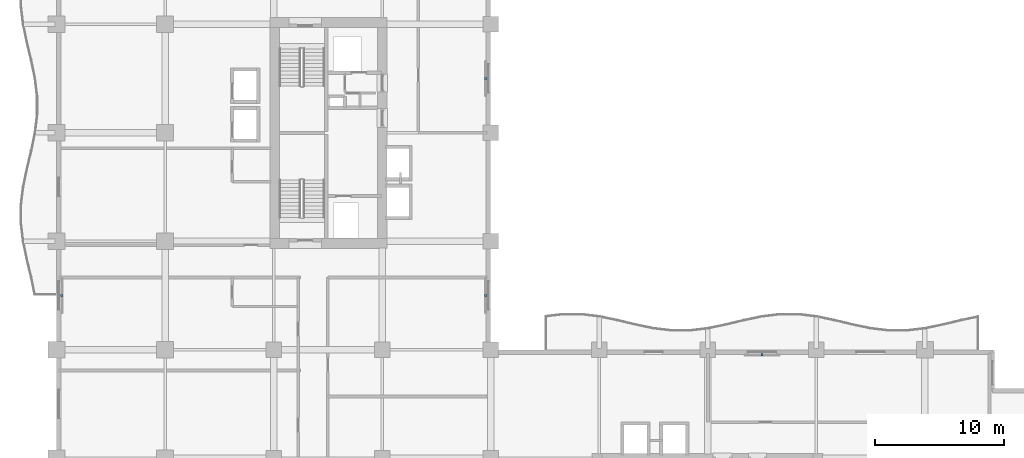
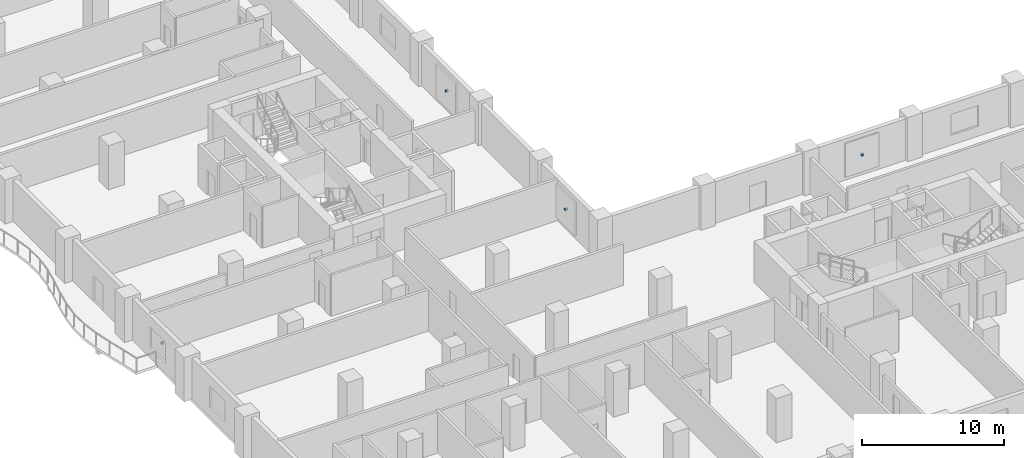
# One storey, part 13 of 18: 4 discrete accessories.
"""IFC4 building model written with IfcOpenShell, lengths in metres."""

from ifc_helpers import new_model, si_unit, direction, frame, origin, origin_2d, place, context, subcontext, project, spatial, rectangle, extrude, material, type_object, element, save


model = new_model("IFC4")

# Units and contexts
model_context = context("Model", 3, precision=1e-05, world=origin(), true_north=direction((0.0, 1.0)))
body_context = subcontext(model_context, "Body", "Model", "MODEL_VIEW")
ifc_project = project(units=[si_unit("LENGTHUNIT", "METRE"), si_unit("AREAUNIT", "SQUARE_METRE"), si_unit("VOLUMEUNIT", "CUBIC_METRE"), si_unit("PLANEANGLEUNIT", "RADIAN"), si_unit("MASSUNIT", "GRAM", prefix="KILO")], contexts=[model_context])

# Site, building, storey
site_placement = place(None, origin())
site = spatial("IfcSite", under=ifc_project, at=site_placement, CompositionType="ELEMENT")
building_placement = place(site_placement, origin())
building = spatial("IfcBuilding", under=site, at=building_placement, Name="Koriwani Terraces Tower", CompositionType="ELEMENT")
storey_placement = place(building_placement, frame((0.0, 0.0, 100.0)))
storey = spatial("IfcBuildingStorey", under=building, at=storey_placement, Name="L23", CompositionType="ELEMENT", Elevation=100.0)

# Discrete accessories
ifc_material = material(Name="Steel ASTM A572 Grade 50", Category="steel")
discrete_accessory_type = type_object("IfcDiscreteAccessoryType", Name="BAGUETTE_STANDOFF_BRACKET", PredefinedType="BRACKET", material=ifc_material)
for number, where, z_axis, x_axis, name in (
    (1, (0.389892578125, 37.800048828125, 1.68505859375), (0.0, 0.0, 1.0), (0.0, 1.0, 0.0), "L23 Terracotta Baguette Bracket (W-12)"),
    (2, (33.2099609375, 37.800048828125, 1.68505859375), (0.0, 0.0, 1.0), (0.0, -1.0, 0.0), "L23 Terracotta Baguette Bracket (NW_IN-2)"),
    (3, (33.2099609375, 54.60009765625, 1.68505859375), (0.0, 0.0, 1.0), (0.0, -1.0, 0.0), "L23 Terracotta Baguette Bracket (NW_IN-8)"),
    (4, (54.60009765625, 33.2099609375, 1.68505859375), (0.0, 0.0, 1.0), (1.0, 0.0, 0.0), "L23 Terracotta Baguette Bracket (NE-8)"),
):
    element("IfcDiscreteAccessory", number, at=place(storey_placement, frame(where, z_axis=z_axis, x_axis=x_axis)), inside=storey, type_object=discrete_accessory_type, Name=name, PredefinedType="BRACKET", context=body_context, shape_type="SweptSolid", body=[
        extrude(rectangle(XDim=0.159912109375, YDim=0.199951171875, at=origin_2d()), origin(), (0.0, 0.0, 1.0), 0.179931640625),
    ])

save(model, "model.ifc")
